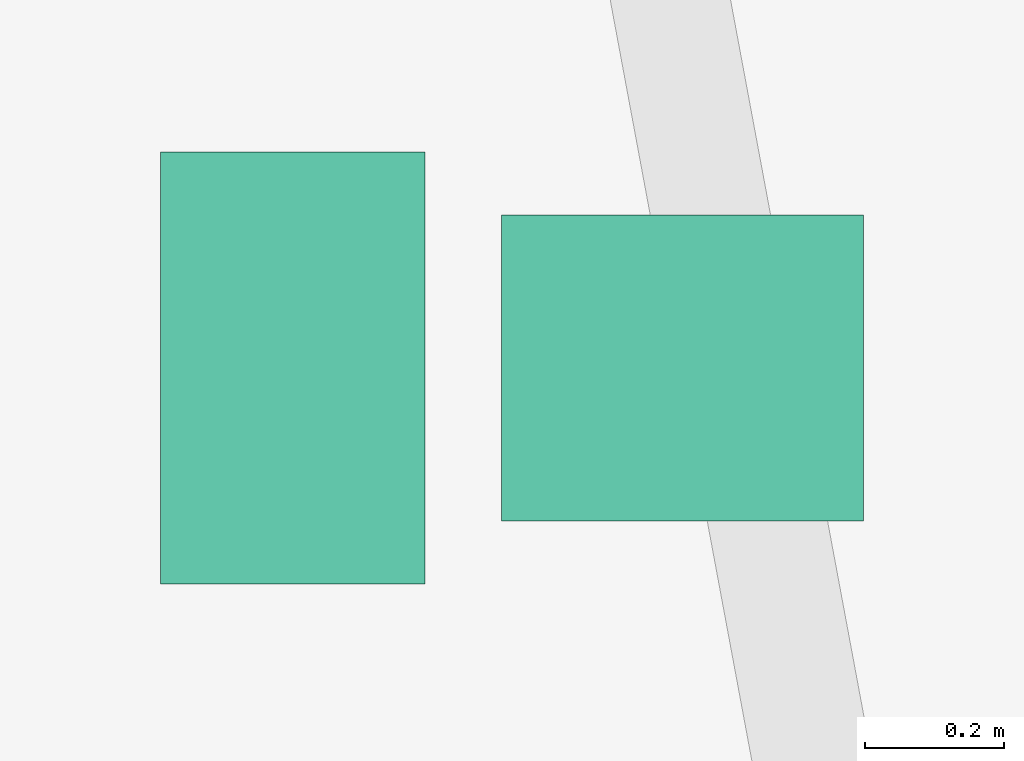
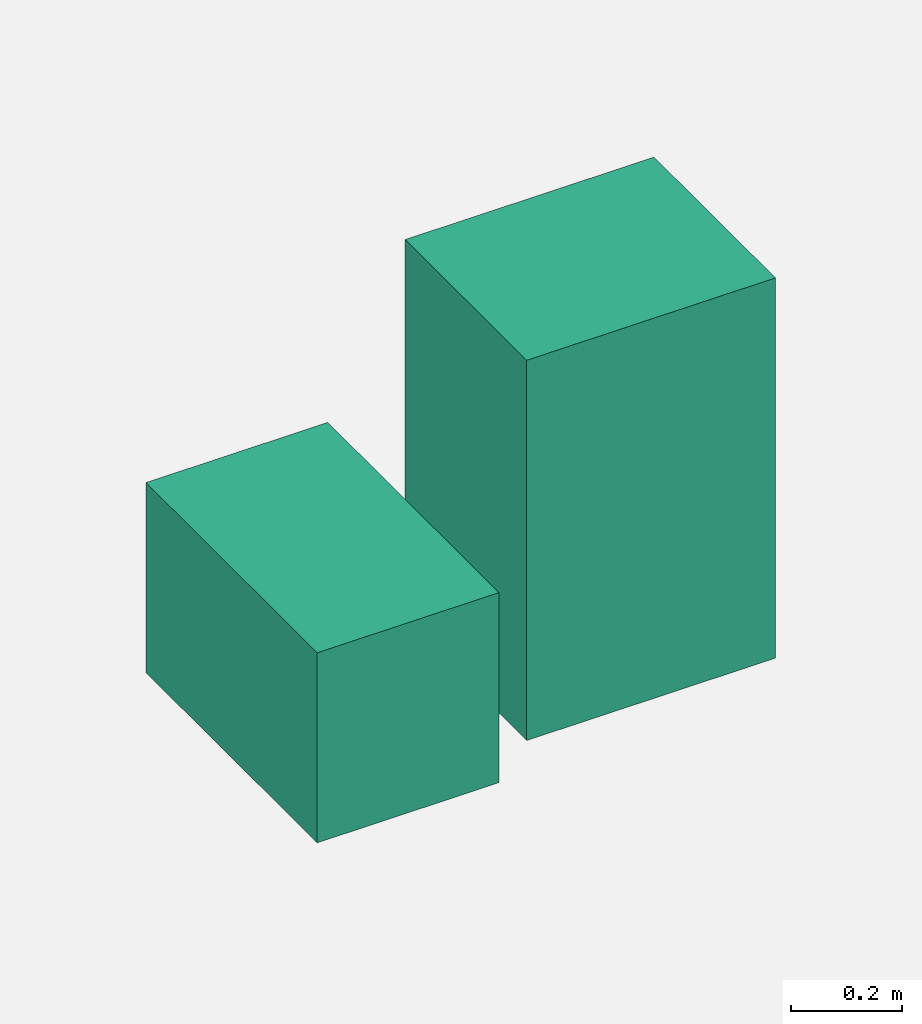
# One storey, part 12 of 12: 2 sanitary terminals.
"""IFC4 building model written with IfcOpenShell, lengths in metres."""

from ifc_helpers import new_model, si_unit, direction, frame, origin, origin_2d, place, context, subcontext, project, spatial, rectangle, extrude, source, transform, mapped, material, type_object, element, save


model = new_model("IFC4")

# Units and contexts
model_context = context("Model", 3, precision=1e-05, world=origin(), true_north=direction((0.0, 1.0)))
body_context = subcontext(model_context, "Body", "Model", "MODEL_VIEW")
ifc_project = project(units=[si_unit("LENGTHUNIT", "METRE"), si_unit("AREAUNIT", "SQUARE_METRE"), si_unit("VOLUMEUNIT", "CUBIC_METRE"), si_unit("PLANEANGLEUNIT", "RADIAN"), si_unit("MASSUNIT", "GRAM", prefix="KILO")], contexts=[model_context])

# Site, building, storey
site_placement = place(None, origin())
site = spatial("IfcSite", under=ifc_project, at=site_placement, CompositionType="ELEMENT")
building_placement = place(site_placement, origin())
building = spatial("IfcBuilding", under=site, at=building_placement, Name="Qafzar Sky-Pleat Residences", CompositionType="ELEMENT")
storey_placement = place(building_placement, frame((0.0, 0.0, 181.0)))
storey = spatial("IfcBuildingStorey", under=building, at=storey_placement, Name="L54", CompositionType="ELEMENT", Elevation=181.0)

# Sanitary terminals
ifc_material = material(Name="Vitreous china sanitaryware")
sanitary_terminal_type_1 = type_object("IfcSanitaryTerminalType", Name="SAN-WC-PAN", PredefinedType="TOILETPAN", material=ifc_material)
shared_shape_1 = source(origin(), body_context, "Body", "SweptSolid", [
    extrude(rectangle(XDim=0.3798828125, YDim=0.6201171875, at=origin_2d()), origin(), (0.0, 0.0, 1.0), 0.419921875),
])
sanitary_terminal_1_placement = place(storey_placement, frame((40.5244140625, 29.34912109375, 0.0), z_axis=(0.0, 0.0, 1.0), x_axis=(1.0, 0.0, 0.0)))
element("IfcSanitaryTerminal", 1, at=sanitary_terminal_1_placement, inside=storey, type_object=sanitary_terminal_type_1, Name="L54 Accessible Shared Washroom WC Pan", PredefinedType="TOILETPAN", context=body_context, shape_type="MappedRepresentation", body=[
    mapped(shared_shape_1, transform((0.0, 0.0, 0.0), x_axis=(1.0, 0.0, 0.0), y_axis=(0.0, 1.0, 0.0), z_axis=(0.0, 0.0, 1.0), scale=1.0)),
])
sanitary_terminal_type_2 = type_object("IfcSanitaryTerminalType", Name="SAN-BASIN", PredefinedType="WASHHANDBASIN", material=ifc_material)
shared_shape_2 = source(origin(), body_context, "Body", "SweptSolid", [
    extrude(rectangle(XDim=0.52001953125, YDim=0.43994140625, at=origin_2d()), origin(), (0.0, 0.0, 1.0), 0.840087890625),
])
sanitary_terminal_2_placement = place(storey_placement, frame((41.084228515625, 29.34912109375, 0.0), z_axis=(0.0, 0.0, 1.0), x_axis=(1.0, 0.0, 0.0)))
element("IfcSanitaryTerminal", 2, at=sanitary_terminal_2_placement, inside=storey, type_object=sanitary_terminal_type_2, Name="L54 Accessible Shared Washroom Pedestal Washbasin", PredefinedType="WASHHANDBASIN", context=body_context, shape_type="MappedRepresentation", body=[
    mapped(shared_shape_2, transform((0.0, 0.0, 0.0), x_axis=(1.0, 0.0, 0.0), y_axis=(0.0, 1.0, 0.0), z_axis=(0.0, 0.0, 1.0), scale=1.0)),
])

save(model, "model.ifc")
